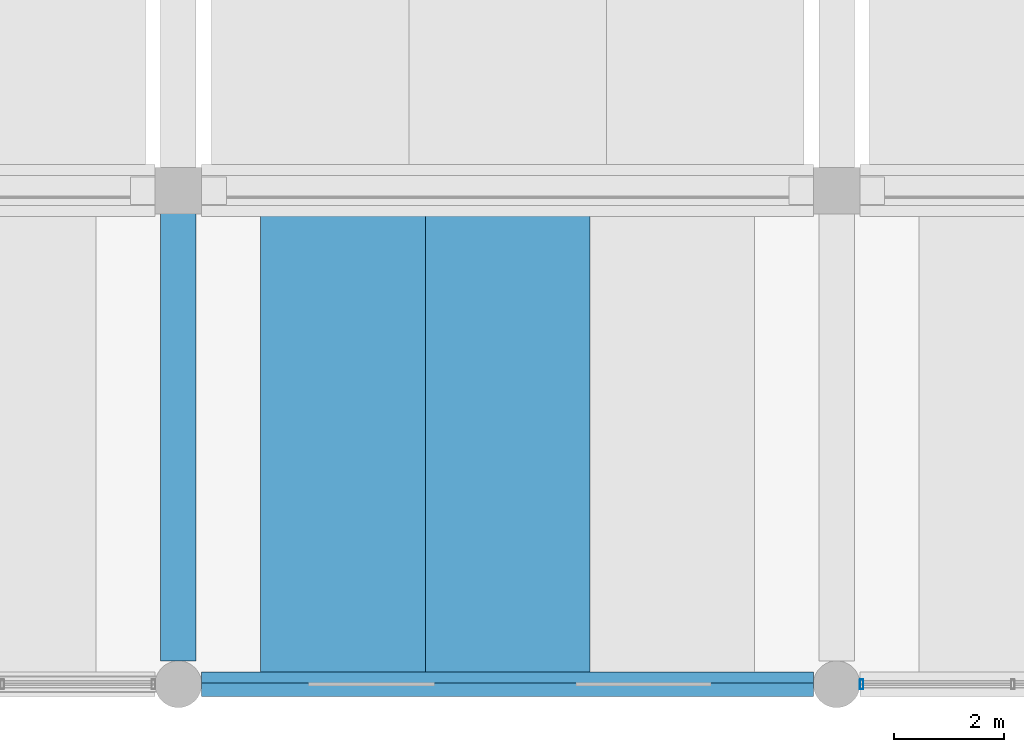
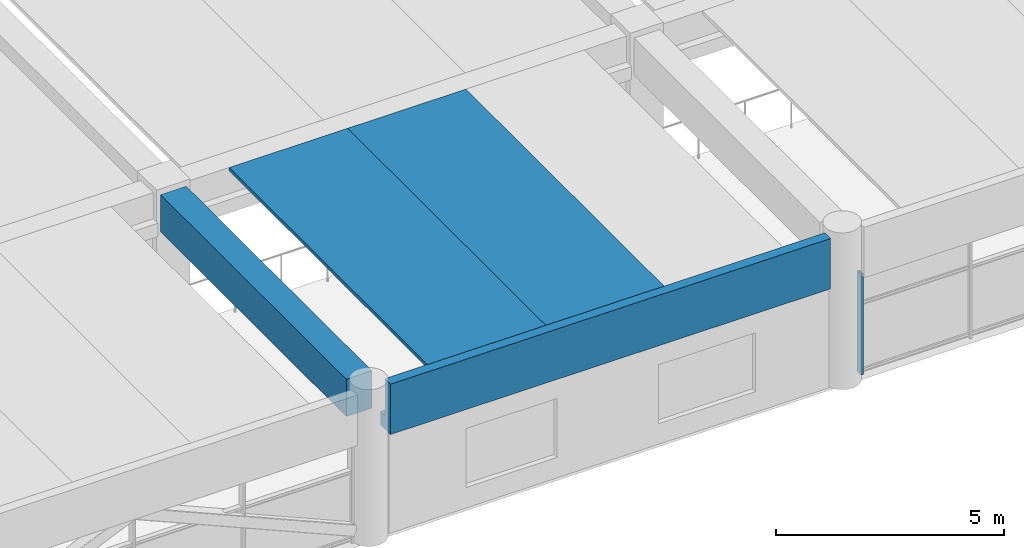
# One storey, part 8 of 50: 4 beams, 1 member, 1 element without a shape of its own.
"""IFC4 building model written with IfcOpenShell, lengths in metres."""

from ifc_helpers import new_model, si_unit, direction, frame, origin, origin_2d, place, context, subcontext, project, spatial, polyline, rectangle, hollow_rectangle, outline, extrude, material, material_profile, profile_set, type_object, element, aggregate, save


model = new_model("IFC4")

# Units and contexts
model_context = context("Model", 3, precision=1e-05, world=origin(), true_north=direction((0.0, 1.0)))
body_context = subcontext(model_context, "Body", "Model", "MODEL_VIEW")
ifc_project = project(units=[si_unit("LENGTHUNIT", "METRE"), si_unit("AREAUNIT", "SQUARE_METRE"), si_unit("VOLUMEUNIT", "CUBIC_METRE"), si_unit("PLANEANGLEUNIT", "RADIAN"), si_unit("MASSUNIT", "GRAM", prefix="KILO")], contexts=[model_context])

# Site, building, storey
site_placement = place(None, origin())
site = spatial("IfcSite", under=ifc_project, at=site_placement, CompositionType="ELEMENT")
building_placement = place(site_placement, origin())
building = spatial("IfcBuilding", under=site, at=building_placement, Name="Girod Span Mobility Hub", CompositionType="ELEMENT")
storey_placement = place(building_placement, frame((0.0, 0.0, 5.39990234375)))
storey = spatial("IfcBuildingStorey", under=building, at=storey_placement, Name="L01", CompositionType="ELEMENT", Elevation=5.39990234375)

# Beams
ifc_material_1 = material(Name="Concrete C50/60", Category="concrete")
ifc_material_profile_1 = material_profile(ifc_material_1, outline(polyline([(-1.5, 0.35009765625), (-1.5, 0.2548828125), (-0.840087890625, 0.2548828125), (-0.81494140625, -0.35009765625), (-0.68505859375, -0.35009765625), (-0.659912109375, 0.2548828125), (0.659912109375, 0.2548828125), (0.68505859375, -0.35009765625), (0.81494140625, -0.35009765625), (0.840087890625, 0.2548828125), (1.5, 0.2548828125), (1.5, 0.35009765625), (-1.5, 0.35009765625)])), Name="DT-3000X700")
ifc_profile_set_1 = profile_set([ifc_material_profile_1], Name="Concrete C50/60")
beam_type_1 = type_object("IfcBeamType", Name="BM-DT-3000X700", PredefinedType="JOIST", material=ifc_profile_set_1)
for number, where, z_axis, x_axis, name in (
    (1, (51.0, 0.02197265625, 3.690185546875), (0.0, 1.0, 0.0), (-1.0, 0.0, 0.0), "Double-Tee Deck 5/A-1 L01"),
    (2, (54.0, 0.02197265625, 3.690185546875), (0.0, 1.0, 0.0), (-1.0, 0.0, 0.0), "Double-Tee Deck 5/A-2 L01"),
):
    element("IfcBeam", number, at=place(storey_placement, frame(where, z_axis=z_axis, x_axis=x_axis)), inside=storey, type_object=beam_type_1, Name=name, PredefinedType="JOIST", context=body_context, shape_type="SweptSolid", body=[
        extrude(outline(polyline([(-1.5, 0.35009765625), (-1.5, 0.2548828125), (-0.840087890625, 0.2548828125), (-0.81494140625, -0.35009765625), (-0.68505859375, -0.35009765625), (-0.659912109375, 0.2548828125), (0.659912109375, 0.2548828125), (0.68505859375, -0.35009765625), (0.81494140625, -0.35009765625), (0.840087890625, 0.2548828125), (1.5, 0.2548828125), (1.5, 0.35009765625), (-1.5, 0.35009765625)])), origin(), (0.0, 0.0, 1.0), 8.7060546875),
    ])
ifc_material_2 = material(Name="Concrete C40/50", Category="concrete")
ifc_material_profile_2 = material_profile(ifc_material_2, outline(polyline([(-0.22509765625, -0.675048828125), (0.22509765625, -0.675048828125), (0.22509765625, -0.324951171875), (0.02490234375, -0.324951171875), (0.02490234375, 0.675048828125), (-0.22509765625, 0.675048828125), (-0.22509765625, -0.675048828125)])), Name="SP-450X1350")
ifc_profile_set_2 = profile_set([ifc_material_profile_2], Name="Concrete C40/50")
beam_type_2 = type_object("IfcBeamType", Name="BM-SP-450X1350", PredefinedType="SPANDREL", material=ifc_profile_set_2)
beam_1_placement = place(storey_placement, frame((48.422119140625, 0.0, 3.364990234375), z_axis=(1.0, 0.0, 0.0), x_axis=(0.0, 1.0, 0.0)))
element("IfcBeam", 3, at=beam_1_placement, inside=storey, type_object=beam_type_2, Name="Girder 5-6/A L01", PredefinedType="SPANDREL", context=body_context, shape_type="SweptSolid", body=[
    extrude(outline(polyline([(-0.22509765625, -0.675048828125), (0.22509765625, -0.675048828125), (0.22509765625, -0.324951171875), (0.02490234375, -0.324951171875), (0.02490234375, 0.675048828125), (-0.22509765625, 0.675048828125), (-0.22509765625, -0.675048828125)])), origin(), (0.0, 0.0, 1.0), 11.15576171875),
])
ifc_material_3 = material(Name="Concrete C40/50", Category="concrete")
ifc_material_profile_3 = material_profile(ifc_material_3, rectangle(XDim=0.64990234375, YDim=1.0, at=origin_2d()), Name="TG-650X1000")
ifc_profile_set_3 = profile_set([ifc_material_profile_3], Name="Concrete C40/50")
beam_type_3 = type_object("IfcBeamType", Name="BM-TG-650X1000", PredefinedType="T_BEAM", material=ifc_profile_set_3)
beam_2_placement = place(storey_placement, frame((48.0, 0.422119140625, 3.5400390625), z_axis=(0.0, 1.0, 0.0), x_axis=(-1.0, 0.0, 0.0)))
element("IfcBeam", 4, at=beam_2_placement, inside=storey, type_object=beam_type_3, Name="Tie Girder 5/A-B L01", PredefinedType="T_BEAM", context=body_context, shape_type="SweptSolid", body=[
    extrude(rectangle(XDim=0.64990234375, YDim=1.0, at=origin_2d()), origin(), (0.0, 0.0, 1.0), 8.15576171875),
])

# Curtain wall, member
ifc_material_4 = material(Name="Thermally Broken Anodised Aluminium", Category="aluminium")
curtain_wall_type = type_object("IfcCurtainWallType", Name="CW-1115X269", PredefinedType="USERDEFINED", material=ifc_material_4)
curtain_wall_placement = place(storey_placement, origin())
curtain_wall = element("IfcCurtainWall", 5, at=curtain_wall_placement, inside=storey, type_object=curtain_wall_type, Name="Concourse Storefront CW-L01-S06 L01", ObjectType="CONCOURSE STOREFRONT", PredefinedType="USERDEFINED")
ifc_material_5 = material(Name="Thermally Broken Anodised Aluminium", Category="aluminium")
ifc_material_profile_4 = material_profile(ifc_material_5, hollow_rectangle(XDim=0.179931640625, YDim=0.06494140625, WallThickness=0.00390625, InnerFilletRadius=0.00390625, OuterFilletRadius=0.008056640625, at=origin_2d()), Name="CW-ML-65X180")
ifc_profile_set_4 = profile_set([ifc_material_profile_4], Name="Thermally Broken Anodised Aluminium")
member_type = type_object("IfcMemberType", Name="CWM-ML-2", PredefinedType="MULLION", material=ifc_profile_set_4)
member_placement = place(storey_placement, frame((60.455078125, 0.0, 0.0), z_axis=(0.0, 0.0, 1.0), x_axis=(0.0, 1.0, 0.0)))
member = element("IfcMember", 6, at=member_placement, type_object=member_type, Name="Curtain Wall Mullion CW-L01-S06-M0", PredefinedType="MULLION", context=body_context, shape_type="SweptSolid", body=[
    extrude(hollow_rectangle(XDim=0.179931640625, YDim=0.06494140625, WallThickness=0.00390625, InnerFilletRadius=0.00390625, OuterFilletRadius=0.008056640625, at=origin_2d()), origin(), (0.0, 0.0, 1.0), 2.690185546875),
])
aggregate(curtain_wall, [member])

save(model, "model.ifc")
